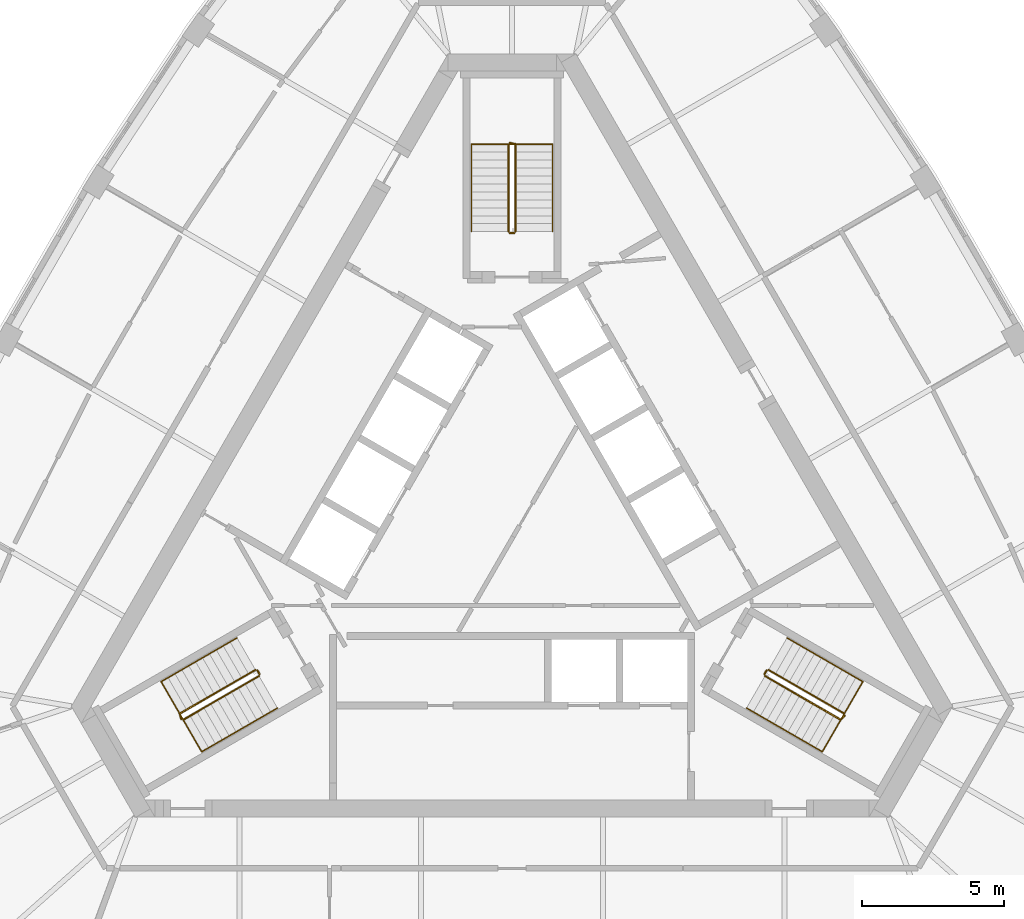
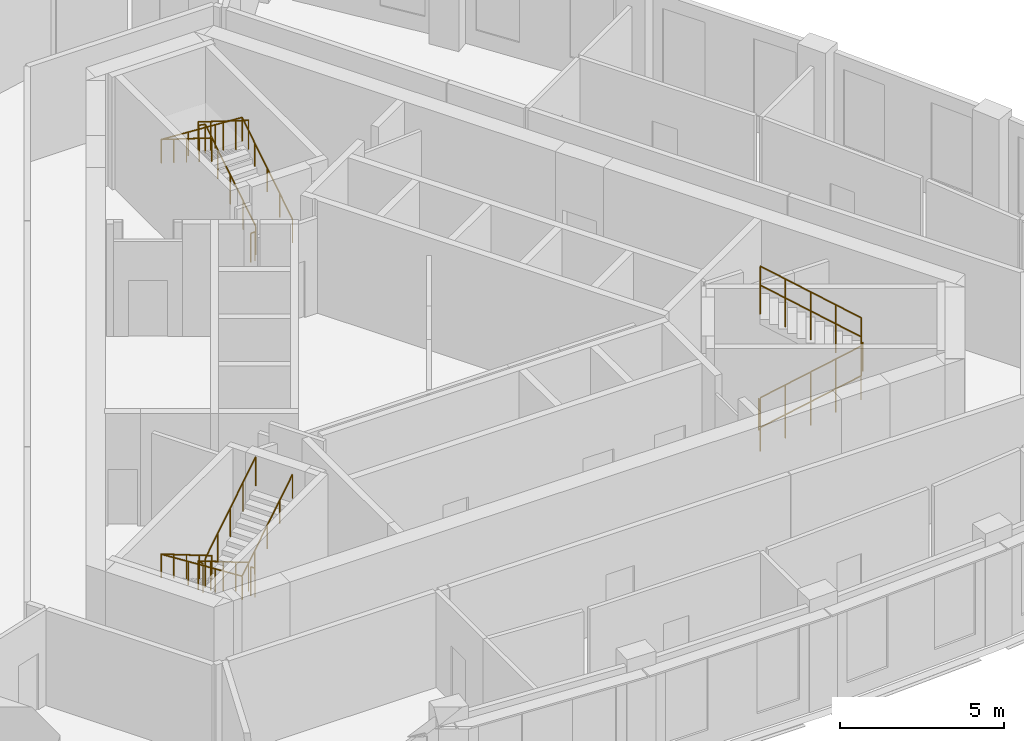
# One storey, part 10 of 10: 12 railings.
"""IFC4 building model written with IfcOpenShell, lengths in metres."""

from ifc_helpers import new_model, si_unit, direction, frame, origin, origin_2d, place, context, subcontext, project, spatial, circle, extrude, material, type_object, element, save


model = new_model("IFC4")

# Units and contexts
model_context = context("Model", 3, precision=1e-05, world=origin(), true_north=direction((0.0, 1.0)))
body_context = subcontext(model_context, "Body", "Model", "MODEL_VIEW")
ifc_project = project(units=[si_unit("LENGTHUNIT", "METRE"), si_unit("AREAUNIT", "SQUARE_METRE"), si_unit("VOLUMEUNIT", "CUBIC_METRE"), si_unit("PLANEANGLEUNIT", "RADIAN"), si_unit("MASSUNIT", "GRAM", prefix="KILO")], contexts=[model_context])

# Site, building, storey
site_placement = place(None, origin())
site = spatial("IfcSite", under=ifc_project, at=site_placement, CompositionType="ELEMENT")
building_placement = place(site_placement, origin())
building = spatial("IfcBuilding", under=site, at=building_placement, Name="Mestral Congress Tower", CompositionType="ELEMENT")
storey_placement = place(building_placement, frame((0.0, 0.0, 288.0)))
storey = spatial("IfcBuildingStorey", under=building, at=storey_placement, Name="L67", CompositionType="ELEMENT", Elevation=288.0)

# Railings
ifc_material_1 = material(Name="Steel balustrade", Category="steel")
railing_type_1 = type_object("IfcRailingType", Name="Stair guard 1100", PredefinedType="GUARDRAIL", material=ifc_material_1)
railing_1_placement = place(storey_placement, frame((8.90087890625, -5.283203125, 0.175048828125)))
element("IfcRailing", 1, at=railing_1_placement, inside=storey, type_object=railing_type_1, Name="L67 ST1 stair guard 1", PredefinedType="GUARDRAIL", context=body_context, shape_type="SweptSolid", body=[
    extrude(circle(Radius=0.02392578125, at=origin_2d()), frame((0.0, 0.0, 1.076171875), z_axis=(0.734364028329, -0.424015404183, 0.530019255228), x_axis=(0.500026652407, 0.866010015463, 0.0)), (0.0, 0.0, 1.0), 3.632080078125),
    extrude(circle(Radius=0.02392578125, at=origin_2d()), frame((2.667236328125, -1.5400390625, 3.0009765625), z_axis=(0.695164929852, 0.718850276695, 0.0), x_axis=(-0.718850276695, 0.695164929852, 0.0)), (0.0, 0.0, 1.0), 0.2060546875),
    extrude(circle(Radius=0.02099609375, at=origin_2d()), origin(), (0.0, 0.0, 1.0), 1.052001953125),
    extrude(circle(Radius=0.02099609375, at=origin_2d()), frame((0.666748046875, -0.385009765625, 0.481201171875)), (0.0, 0.0, 1.0), 1.052001953125),
    extrude(circle(Radius=0.02099609375, at=origin_2d()), frame((1.33349609375, -0.77001953125, 0.96240234375)), (0.0, 0.0, 1.0), 1.052001953125),
    extrude(circle(Radius=0.02099609375, at=origin_2d()), frame((2.00048828125, -1.155029296875, 1.44384765625)), (0.0, 0.0, 1.0), 1.052001953125),
    extrude(circle(Radius=0.02099609375, at=origin_2d()), frame((2.667236328125, -1.5400390625, 1.925048828125)), (0.0, 0.0, 1.0), 1.052001953125),
    extrude(circle(Radius=0.02099609375, at=origin_2d()), frame((2.810546875, -1.391845703125, 1.925048828125)), (0.0, 0.0, 1.0), 1.052001953125),
])
railing_2_placement = place(storey_placement, frame((11.693115234375, -6.606689453125, 2.27490234375)))
element("IfcRailing", 2, at=railing_2_placement, inside=storey, type_object=railing_type_1, Name="L67 ST1 stair guard 2", PredefinedType="GUARDRAIL", context=body_context, shape_type="SweptSolid", body=[
    extrude(circle(Radius=0.02392578125, at=origin_2d()), frame((0.0, 0.0, 1.076171875), z_axis=(-0.734364028329, 0.424015404183, 0.530019255228), x_axis=(-0.500026652407, -0.866010015463, 0.0)), (0.0, 0.0, 1.0), 3.632080078125),
    extrude(circle(Radius=0.02099609375, at=origin_2d()), origin(), (0.0, 0.0, 1.0), 1.052001953125),
    extrude(circle(Radius=0.02099609375, at=origin_2d()), frame((-0.666748046875, 0.385009765625, 0.481201171875)), (0.0, 0.0, 1.0), 1.052001953125),
    extrude(circle(Radius=0.02099609375, at=origin_2d()), frame((-1.33349609375, 0.77001953125, 0.96240234375)), (0.0, 0.0, 1.0), 1.052001953125),
    extrude(circle(Radius=0.02099609375, at=origin_2d()), frame((-2.00048828125, 1.155029296875, 1.44384765625)), (0.0, 0.0, 1.0), 1.052001953125),
    extrude(circle(Radius=0.02099609375, at=origin_2d()), frame((-2.667236328125, 1.5400390625, 1.925048828125)), (0.0, 0.0, 1.0), 1.052001953125),
])
railing_3_placement = place(storey_placement, frame((8.882568359375, -5.21484375, 0.0)))
element("IfcRailing", 3, at=railing_3_placement, inside=storey, type_object=railing_type_1, Name="L67 ST1 stair guard 3", PredefinedType="GUARDRAIL", context=body_context, shape_type="SweptSolid", body=[
    extrude(circle(Radius=0.02392578125, at=origin_2d()), frame((0.0, 0.0, 1.076171875), z_axis=(0.499816412211, 0.866131372301, 0.0), x_axis=(-0.866131372301, 0.499816412211, 0.0)), (0.0, 0.0, 1.0), 0.14990234375),
    extrude(circle(Radius=0.02099609375, at=origin_2d()), origin(), (0.0, 0.0, 1.0), 1.052001953125),
    extrude(circle(Radius=0.02099609375, at=origin_2d()), frame((0.074951171875, 0.1298828125, 0.0)), (0.0, 0.0, 1.0), 1.052001953125),
])
railing_4_placement = place(storey_placement, frame((0.125, 10.35009765625, 0.175048828125)))
element("IfcRailing", 4, at=railing_4_placement, inside=storey, type_object=railing_type_1, Name="L67 ST2 stair guard 1", PredefinedType="GUARDRAIL", context=body_context, shape_type="SweptSolid", body=[
    extrude(circle(Radius=0.02392578125, at=origin_2d()), frame((0.0, 0.0, 1.076171875), z_axis=(0.0, 0.847979421464, 0.530029150871), x_axis=(-1.0, 0.0, 0.0)), (0.0, 0.0, 1.0), 3.632080078125),
    extrude(circle(Radius=0.02392578125, at=origin_2d()), frame((0.0, 3.079833984375, 3.0009765625), z_axis=(-0.970072785993, 0.242814311512, 0.0), x_axis=(-0.242814311512, -0.970072785993, 0.0)), (0.0, 0.0, 1.0), 0.2060546875),
    extrude(circle(Radius=0.02099609375, at=origin_2d()), origin(), (0.0, 0.0, 1.0), 1.052001953125),
    extrude(circle(Radius=0.02099609375, at=origin_2d()), frame((0.0, 0.77001953125, 0.481201171875)), (0.0, 0.0, 1.0), 1.052001953125),
    extrude(circle(Radius=0.02099609375, at=origin_2d()), frame((0.0, 1.5400390625, 0.96240234375)), (0.0, 0.0, 1.0), 1.052001953125),
    extrude(circle(Radius=0.02099609375, at=origin_2d()), frame((0.0, 2.309814453125, 1.44384765625)), (0.0, 0.0, 1.0), 1.052001953125),
    extrude(circle(Radius=0.02099609375, at=origin_2d()), frame((0.0, 3.079833984375, 1.925048828125)), (0.0, 0.0, 1.0), 1.052001953125),
    extrude(circle(Radius=0.02099609375, at=origin_2d()), frame((-0.199951171875, 3.1298828125, 1.925048828125)), (0.0, 0.0, 1.0), 1.052001953125),
])
railing_5_placement = place(storey_placement, frame((-0.125, 13.429931640625, 2.27490234375)))
element("IfcRailing", 5, at=railing_5_placement, inside=storey, type_object=railing_type_1, Name="L67 ST2 stair guard 2", PredefinedType="GUARDRAIL", context=body_context, shape_type="SweptSolid", body=[
    extrude(circle(Radius=0.02392578125, at=origin_2d()), frame((0.0, 0.0, 1.076171875), z_axis=(0.0, -0.847979421464, 0.530029150871), x_axis=(1.0, 0.0, 0.0)), (0.0, 0.0, 1.0), 3.632080078125),
    extrude(circle(Radius=0.02099609375, at=origin_2d()), origin(), (0.0, 0.0, 1.0), 1.052001953125),
    extrude(circle(Radius=0.02099609375, at=origin_2d()), frame((0.0, -0.77001953125, 0.481201171875)), (0.0, 0.0, 1.0), 1.052001953125),
    extrude(circle(Radius=0.02099609375, at=origin_2d()), frame((0.0, -1.5400390625, 0.96240234375)), (0.0, 0.0, 1.0), 1.052001953125),
    extrude(circle(Radius=0.02099609375, at=origin_2d()), frame((0.0, -2.309814453125, 1.44384765625)), (0.0, 0.0, 1.0), 1.052001953125),
    extrude(circle(Radius=0.02099609375, at=origin_2d()), frame((0.0, -3.079833984375, 1.925048828125)), (0.0, 0.0, 1.0), 1.052001953125),
])
railing_6_placement = place(storey_placement, frame((0.074951171875, 10.300048828125, 0.0)))
element("IfcRailing", 6, at=railing_6_placement, inside=storey, type_object=railing_type_1, Name="L67 ST2 stair guard 3", PredefinedType="GUARDRAIL", context=body_context, shape_type="SweptSolid", body=[
    extrude(circle(Radius=0.02392578125, at=origin_2d()), frame((0.0, 0.0, 1.076171875), z_axis=(-1.0, 0.0, 0.0), x_axis=(0.0, -1.0, 0.0)), (0.0, 0.0, 1.0), 0.14990234375),
    extrude(circle(Radius=0.02099609375, at=origin_2d()), origin(), (0.0, 0.0, 1.0), 1.052001953125),
    extrude(circle(Radius=0.02099609375, at=origin_2d()), frame((-0.14990234375, 0.0, 0.0)), (0.0, 0.0, 1.0), 1.052001953125),
])
railing_7_placement = place(storey_placement, frame((-9.02587890625, -5.066650390625, 0.175048828125)))
element("IfcRailing", 7, at=railing_7_placement, inside=storey, type_object=railing_type_1, Name="L67 ST3 stair guard 1", PredefinedType="GUARDRAIL", context=body_context, shape_type="SweptSolid", body=[
    extrude(circle(Radius=0.02392578125, at=origin_2d()), frame((0.0, 0.0, 1.076171875), z_axis=(-0.734364028329, -0.424015404183, 0.530019255228), x_axis=(0.500026652407, -0.866010015463, 0.0)), (0.0, 0.0, 1.0), 3.632080078125),
    extrude(circle(Radius=0.02392578125, at=origin_2d()), frame((-2.667236328125, -1.5400390625, 3.0009765625), z_axis=(0.274721127897, -0.961523947641, 0.0), x_axis=(0.961523947641, 0.274721127897, 0.0)), (0.0, 0.0, 1.0), 0.2060546875),
    extrude(circle(Radius=0.02099609375, at=origin_2d()), origin(), (0.0, 0.0, 1.0), 1.052001953125),
    extrude(circle(Radius=0.02099609375, at=origin_2d()), frame((-0.666748046875, -0.385009765625, 0.481201171875)), (0.0, 0.0, 1.0), 1.052001953125),
    extrude(circle(Radius=0.02099609375, at=origin_2d()), frame((-1.33349609375, -0.77001953125, 0.96240234375)), (0.0, 0.0, 1.0), 1.052001953125),
    extrude(circle(Radius=0.02099609375, at=origin_2d()), frame((-2.00048828125, -1.155029296875, 1.44384765625)), (0.0, 0.0, 1.0), 1.052001953125),
    extrude(circle(Radius=0.02099609375, at=origin_2d()), frame((-2.667236328125, -1.5400390625, 1.925048828125)), (0.0, 0.0, 1.0), 1.052001953125),
    extrude(circle(Radius=0.02099609375, at=origin_2d()), frame((-2.610595703125, -1.73828125, 1.925048828125)), (0.0, 0.0, 1.0), 1.052001953125),
])
railing_8_placement = place(storey_placement, frame((-11.568115234375, -6.8232421875, 2.27490234375)))
element("IfcRailing", 8, at=railing_8_placement, inside=storey, type_object=railing_type_1, Name="L67 ST3 stair guard 2", PredefinedType="GUARDRAIL", context=body_context, shape_type="SweptSolid", body=[
    extrude(circle(Radius=0.02392578125, at=origin_2d()), frame((0.0, 0.0, 1.076171875), z_axis=(0.734364028329, 0.424015404183, 0.530019255228), x_axis=(-0.500026652407, 0.866010015463, 0.0)), (0.0, 0.0, 1.0), 3.632080078125),
    extrude(circle(Radius=0.02099609375, at=origin_2d()), origin(), (0.0, 0.0, 1.0), 1.052001953125),
    extrude(circle(Radius=0.02099609375, at=origin_2d()), frame((0.666748046875, 0.385009765625, 0.481201171875)), (0.0, 0.0, 1.0), 1.052001953125),
    extrude(circle(Radius=0.02099609375, at=origin_2d()), frame((1.33349609375, 0.77001953125, 0.96240234375)), (0.0, 0.0, 1.0), 1.052001953125),
    extrude(circle(Radius=0.02099609375, at=origin_2d()), frame((2.00048828125, 1.155029296875, 1.44384765625)), (0.0, 0.0, 1.0), 1.052001953125),
    extrude(circle(Radius=0.02099609375, at=origin_2d()), frame((2.667236328125, 1.5400390625, 1.925048828125)), (0.0, 0.0, 1.0), 1.052001953125),
])
railing_9_placement = place(storey_placement, frame((-8.95751953125, -5.0849609375, 0.0)))
element("IfcRailing", 9, at=railing_9_placement, inside=storey, type_object=railing_type_1, Name="L67 ST3 stair guard 3", PredefinedType="GUARDRAIL", context=body_context, shape_type="SweptSolid", body=[
    extrude(circle(Radius=0.02392578125, at=origin_2d()), frame((0.0, 0.0, 1.076171875), z_axis=(0.499816412211, -0.866131372301, 0.0), x_axis=(0.866131372301, 0.499816412211, 0.0)), (0.0, 0.0, 1.0), 0.14990234375),
    extrude(circle(Radius=0.02099609375, at=origin_2d()), origin(), (0.0, 0.0, 1.0), 1.052001953125),
    extrude(circle(Radius=0.02099609375, at=origin_2d()), frame((0.074951171875, -0.1298828125, 0.0)), (0.0, 0.0, 1.0), 1.052001953125),
])
ifc_material_2 = material(Name="Steel handrail", Category="steel")
railing_type_2 = type_object("IfcRailingType", Name="Stair handrail 900", PredefinedType="HANDRAIL", material=ifc_material_2)
railing_10_placement = place(storey_placement, frame((8.2509765625, -6.4091796875, 0.175048828125)))
element("IfcRailing", 10, at=railing_10_placement, inside=storey, type_object=railing_type_2, Name="L67 ST1 stair handrail 1", PredefinedType="HANDRAIL", context=body_context, shape_type="SweptSolid", body=[
    extrude(circle(Radius=0.02392578125, at=origin_2d()), frame((0.0, 0.0, 0.8759765625), z_axis=(0.734384958227, -0.423960268333, 0.530034361155), x_axis=(0.499967199496, 0.866044340336, 0.0)), (0.0, 0.0, 1.0), 3.6318359375),
    extrude(circle(Radius=0.02392578125, at=origin_2d()), frame((2.667236328125, -1.539794921875, 2.80078125), z_axis=(0.499098383545, 0.864379914213, 0.061222279016), x_axis=(-0.866004402611, 0.500036373335, 0.0)), (0.0, 0.0, 1.0), 2.855224609375),
    extrude(circle(Radius=0.02392578125, at=origin_2d()), frame((4.09228515625, 0.92822265625, 2.9755859375), z_axis=(-0.734394994316, 0.423994474112, 0.52999309264), x_axis=(-0.499992328818, -0.866029832698, 0.0)), (0.0, 0.0, 1.0), 3.63232421875),
    extrude(circle(Radius=0.02099609375, at=origin_2d()), origin(), (0.0, 0.0, 1.0), 0.851806640625),
    extrude(circle(Radius=0.02099609375, at=origin_2d()), frame((0.666748046875, -0.385009765625, 0.481201171875)), (0.0, 0.0, 1.0), 0.851806640625),
    extrude(circle(Radius=0.02099609375, at=origin_2d()), frame((1.33349609375, -0.77001953125, 0.96240234375)), (0.0, 0.0, 1.0), 0.851806640625),
    extrude(circle(Radius=0.02099609375, at=origin_2d()), frame((2.00048828125, -1.15478515625, 1.44384765625)), (0.0, 0.0, 1.0), 0.851806640625),
    extrude(circle(Radius=0.02099609375, at=origin_2d()), frame((2.667236328125, -1.539794921875, 1.925048828125)), (0.0, 0.0, 1.0), 0.851806640625),
    extrude(circle(Radius=0.02099609375, at=origin_2d()), frame((3.142333984375, -0.717041015625, 1.9833984375)), (0.0, 0.0, 1.0), 0.851806640625),
    extrude(circle(Radius=0.02099609375, at=origin_2d()), frame((3.6171875, 0.10546875, 2.04150390625)), (0.0, 0.0, 1.0), 0.851806640625),
    extrude(circle(Radius=0.02099609375, at=origin_2d()), frame((4.09228515625, 0.92822265625, 2.099853515625)), (0.0, 0.0, 1.0), 0.851806640625),
    extrude(circle(Radius=0.02099609375, at=origin_2d()), frame((3.42529296875, 1.313232421875, 2.5810546875)), (0.0, 0.0, 1.0), 0.851806640625),
    extrude(circle(Radius=0.02099609375, at=origin_2d()), frame((2.758544921875, 1.6982421875, 3.0625)), (0.0, 0.0, 1.0), 0.851806640625),
    extrude(circle(Radius=0.02099609375, at=origin_2d()), frame((2.091796875, 2.083251953125, 3.543701171875)), (0.0, 0.0, 1.0), 0.851806640625),
    extrude(circle(Radius=0.02099609375, at=origin_2d()), frame((1.4248046875, 2.46826171875, 4.02490234375)), (0.0, 0.0, 1.0), 0.851806640625),
])
railing_11_placement = place(storey_placement, frame((1.425048828125, 10.35009765625, 0.175048828125)))
element("IfcRailing", 11, at=railing_11_placement, inside=storey, type_object=railing_type_2, Name="L67 ST2 stair handrail 1", PredefinedType="HANDRAIL", context=body_context, shape_type="SweptSolid", body=[
    extrude(circle(Radius=0.02392578125, at=origin_2d()), frame((0.0, 0.0, 0.8759765625), z_axis=(0.0, 0.847979421464, 0.530029150871), x_axis=(-1.0, 0.0, 0.0)), (0.0, 0.0, 1.0), 3.632080078125),
    extrude(circle(Radius=0.02392578125, at=origin_2d()), frame((0.0, 3.079833984375, 2.80078125), z_axis=(-0.998124429008, 0.0, 0.061217842314), x_axis=(0.0, -1.0, 0.0)), (0.0, 0.0, 1.0), 2.85546875),
    extrude(circle(Radius=0.02392578125, at=origin_2d()), frame((-2.85009765625, 3.079833984375, 2.9755859375), z_axis=(0.0, -0.847979421464, 0.530029150871), x_axis=(1.0, 0.0, 0.0)), (0.0, 0.0, 1.0), 3.632080078125),
    extrude(circle(Radius=0.02099609375, at=origin_2d()), origin(), (0.0, 0.0, 1.0), 0.851806640625),
    extrude(circle(Radius=0.02099609375, at=origin_2d()), frame((0.0, 0.77001953125, 0.481201171875)), (0.0, 0.0, 1.0), 0.851806640625),
    extrude(circle(Radius=0.02099609375, at=origin_2d()), frame((0.0, 1.5400390625, 0.96240234375)), (0.0, 0.0, 1.0), 0.851806640625),
    extrude(circle(Radius=0.02099609375, at=origin_2d()), frame((0.0, 2.309814453125, 1.44384765625)), (0.0, 0.0, 1.0), 0.851806640625),
    extrude(circle(Radius=0.02099609375, at=origin_2d()), frame((0.0, 3.079833984375, 1.925048828125)), (0.0, 0.0, 1.0), 0.851806640625),
    extrude(circle(Radius=0.02099609375, at=origin_2d()), frame((-0.949951171875, 3.079833984375, 1.9833984375)), (0.0, 0.0, 1.0), 0.851806640625),
    extrude(circle(Radius=0.02099609375, at=origin_2d()), frame((-1.900146484375, 3.079833984375, 2.04150390625)), (0.0, 0.0, 1.0), 0.851806640625),
    extrude(circle(Radius=0.02099609375, at=origin_2d()), frame((-2.85009765625, 3.079833984375, 2.099853515625)), (0.0, 0.0, 1.0), 0.851806640625),
    extrude(circle(Radius=0.02099609375, at=origin_2d()), frame((-2.85009765625, 2.309814453125, 2.5810546875)), (0.0, 0.0, 1.0), 0.851806640625),
    extrude(circle(Radius=0.02099609375, at=origin_2d()), frame((-2.85009765625, 1.5400390625, 3.0625)), (0.0, 0.0, 1.0), 0.851806640625),
    extrude(circle(Radius=0.02099609375, at=origin_2d()), frame((-2.85009765625, 0.77001953125, 3.543701171875)), (0.0, 0.0, 1.0), 0.851806640625),
    extrude(circle(Radius=0.02099609375, at=origin_2d()), frame((-2.85009765625, 0.0, 4.02490234375)), (0.0, 0.0, 1.0), 0.851806640625),
])
railing_12_placement = place(storey_placement, frame((-9.67578125, -3.94091796875, 0.175048828125)))
element("IfcRailing", 12, at=railing_12_placement, inside=storey, type_object=railing_type_2, Name="L67 ST3 stair handrail 1", PredefinedType="HANDRAIL", context=body_context, shape_type="SweptSolid", body=[
    extrude(circle(Radius=0.02392578125, at=origin_2d()), frame((0.0, 0.0, 0.8759765625), z_axis=(-0.734394994316, -0.423994474112, 0.52999309264), x_axis=(0.499992328818, -0.866029832698, 0.0)), (0.0, 0.0, 1.0), 3.63232421875),
    extrude(circle(Radius=0.02392578125, at=origin_2d()), frame((-2.66748046875, -1.5400390625, 2.80078125), z_axis=(0.499098383545, -0.864379914213, 0.061222279016), x_axis=(0.866004402611, 0.500036373335, 0.0)), (0.0, 0.0, 1.0), 2.855224609375),
    extrude(circle(Radius=0.02392578125, at=origin_2d()), frame((-1.242431640625, -4.008056640625, 2.9755859375), z_axis=(0.734384958227, 0.423960268333, 0.530034361155), x_axis=(-0.499967199496, 0.866044340336, 0.0)), (0.0, 0.0, 1.0), 3.6318359375),
    extrude(circle(Radius=0.02099609375, at=origin_2d()), origin(), (0.0, 0.0, 1.0), 0.851806640625),
    extrude(circle(Radius=0.02099609375, at=origin_2d()), frame((-0.6669921875, -0.385009765625, 0.481201171875)), (0.0, 0.0, 1.0), 0.851806640625),
    extrude(circle(Radius=0.02099609375, at=origin_2d()), frame((-1.333740234375, -0.77001953125, 0.96240234375)), (0.0, 0.0, 1.0), 0.851806640625),
    extrude(circle(Radius=0.02099609375, at=origin_2d()), frame((-2.00048828125, -1.155029296875, 1.44384765625)), (0.0, 0.0, 1.0), 0.851806640625),
    extrude(circle(Radius=0.02099609375, at=origin_2d()), frame((-2.66748046875, -1.5400390625, 1.925048828125)), (0.0, 0.0, 1.0), 0.851806640625),
    extrude(circle(Radius=0.02099609375, at=origin_2d()), frame((-2.1923828125, -2.36279296875, 1.9833984375)), (0.0, 0.0, 1.0), 0.851806640625),
    extrude(circle(Radius=0.02099609375, at=origin_2d()), frame((-1.717529296875, -3.185302734375, 2.04150390625)), (0.0, 0.0, 1.0), 0.851806640625),
    extrude(circle(Radius=0.02099609375, at=origin_2d()), frame((-1.242431640625, -4.008056640625, 2.099853515625)), (0.0, 0.0, 1.0), 0.851806640625),
    extrude(circle(Radius=0.02099609375, at=origin_2d()), frame((-0.57568359375, -3.623046875, 2.5810546875)), (0.0, 0.0, 1.0), 0.851806640625),
    extrude(circle(Radius=0.02099609375, at=origin_2d()), frame((0.09130859375, -3.23828125, 3.0625)), (0.0, 0.0, 1.0), 0.851806640625),
    extrude(circle(Radius=0.02099609375, at=origin_2d()), frame((0.758056640625, -2.853271484375, 3.543701171875)), (0.0, 0.0, 1.0), 0.851806640625),
    extrude(circle(Radius=0.02099609375, at=origin_2d()), frame((1.4248046875, -2.46826171875, 4.02490234375)), (0.0, 0.0, 1.0), 0.851806640625),
])

save(model, "model.ifc")
